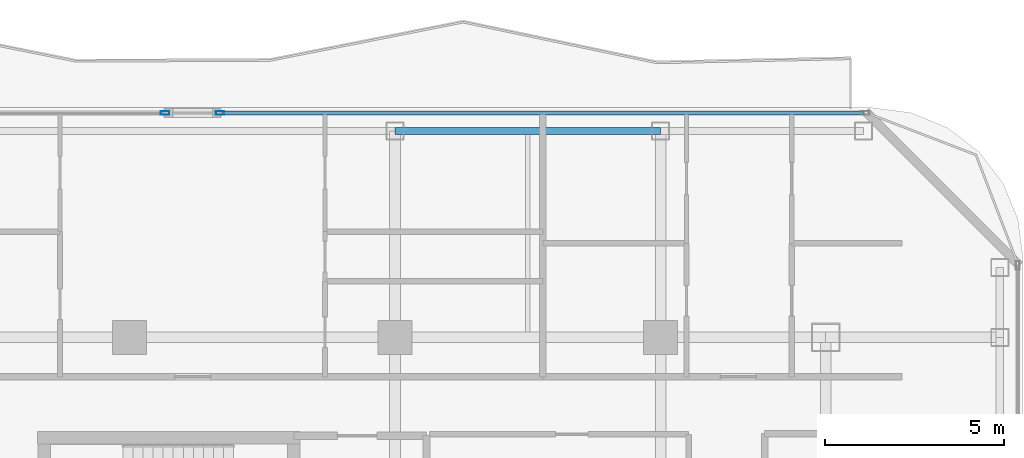
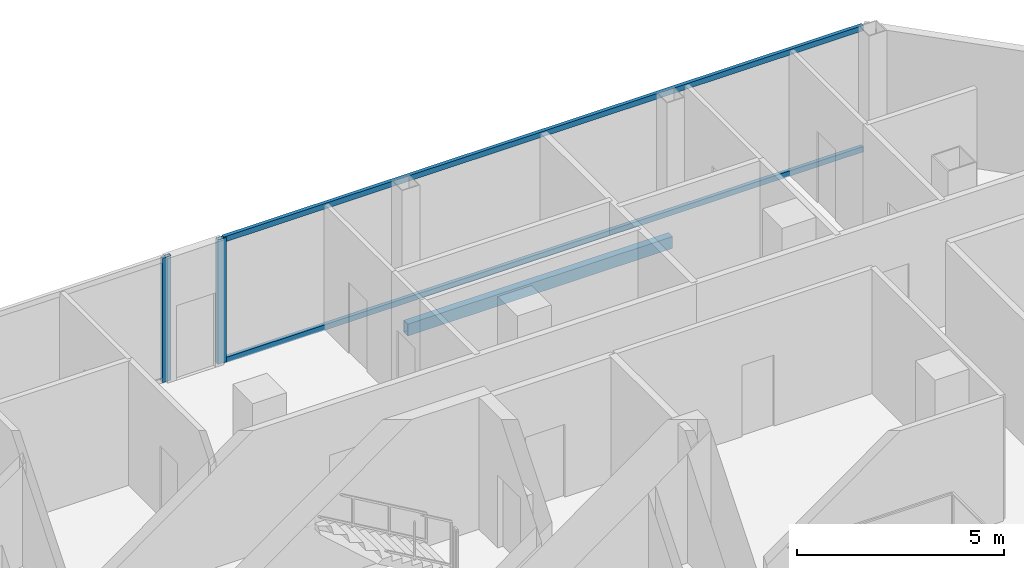
# One storey, part 13 of 23: 4 members, 1 beam, 2 elements without a shape of their own.
"""IFC4 building model written with IfcOpenShell, lengths in metres."""

from ifc_helpers import new_model, si_unit, direction, frame, origin, origin_2d, place, context, subcontext, project, spatial, hollow_rectangle, extrude, material, layer, layer_set, material_profile, profile_set, type_object, element, aggregate, save


model = new_model("IFC4")

# Units and contexts
model_context = context("Model", 3, precision=1e-05, world=origin(), true_north=direction((0.0, 1.0)))
body_context = subcontext(model_context, "Body", "Model", "MODEL_VIEW")
ifc_project = project(units=[si_unit("LENGTHUNIT", "METRE"), si_unit("AREAUNIT", "SQUARE_METRE"), si_unit("VOLUMEUNIT", "CUBIC_METRE"), si_unit("PLANEANGLEUNIT", "RADIAN"), si_unit("MASSUNIT", "GRAM", prefix="KILO")], contexts=[model_context])

# Site, building, storey
site_placement = place(None, origin())
site = spatial("IfcSite", under=ifc_project, at=site_placement, CompositionType="ELEMENT")
building_placement = place(site_placement, origin())
building = spatial("IfcBuilding", under=site, at=building_placement, Name="Khorvyn Point Tower", CompositionType="ELEMENT")
storey_placement = place(building_placement, frame((0.0, 0.0, 274.199951171875)))
storey = spatial("IfcBuildingStorey", under=building, at=storey_placement, Name="L67", CompositionType="ELEMENT", Elevation=274.199951171875)

# Curtain wall, member
ifc_material_1 = material(Name="Anodised aluminium 6063-T6 and laminated Low-E glass", Category="aluminium")
ifc_layer = layer(ifc_material_1, 0.18994140625)
ifc_layer_set = layer_set([ifc_layer], Name="Stick-Built High-Wind Curtain Wall CW-SYS-04")
curtain_wall_type = type_object("IfcCurtainWallType", Name="Stick-Built High-Wind Curtain Wall CW-SYS-04", PredefinedType="NOTDEFINED", material=ifc_layer_set)
curtain_wall_1_placement = place(storey_placement, origin())
curtain_wall_1 = element("IfcCurtainWall", 1, at=curtain_wall_1_placement, inside=storey, type_object=curtain_wall_type, Name="Curtain Wall", PredefinedType="NOTDEFINED")
ifc_material_2 = material(Name="Anodised aluminium 6063-T6", Category="aluminium")
ifc_material_profile_1 = material_profile(ifc_material_2, hollow_rectangle(XDim=0.10009765625, YDim=0.239990234375, WallThickness=0.0048828125, at=origin_2d()))
ifc_profile_set_1 = profile_set([ifc_material_profile_1], Name="Anodised aluminium 6063-T6 ALU-MUL-100x240")
member_type_1 = type_object("IfcMemberType", Name="Anodised Aluminium 6063-T6 Mullion ALU-MUL-100x240", PredefinedType="MULLION", material=ifc_profile_set_1)
member_1_placement = place(storey_placement, frame((0.987060546875, 21.050048828125, 0.0), z_axis=(0.0, 0.0, 1.0), x_axis=(0.0, 1.0, 0.0)))
member_1 = element("IfcMember", 2, at=member_1_placement, type_object=member_type_1, Name="Transom", PredefinedType="MULLION", context=body_context, shape_type="SweptSolid", body=[
    extrude(hollow_rectangle(XDim=0.10009765625, YDim=0.239990234375, WallThickness=0.0048828125, at=origin_2d()), origin(), (0.0, 0.0, 1.0), 3.679931640625),
])
aggregate(curtain_wall_1, [member_1])

# Curtain wall, members
curtain_wall_2_placement = place(storey_placement, origin())
curtain_wall_2 = element("IfcCurtainWall", 3, at=curtain_wall_2_placement, inside=storey, type_object=curtain_wall_type, Name="Curtain Wall", PredefinedType="NOTDEFINED")
member_2_placement = place(storey_placement, frame((2.527099609375, 21.050048828125, 0.0), z_axis=(0.0, 0.0, 1.0), x_axis=(0.0, 1.0, 0.0)))
member_2 = element("IfcMember", 4, at=member_2_placement, type_object=member_type_1, Name="Transom", PredefinedType="MULLION", context=body_context, shape_type="SweptSolid", body=[
    extrude(hollow_rectangle(XDim=0.10009765625, YDim=0.239990234375, WallThickness=0.0048828125, at=origin_2d()), origin(), (0.0, 0.0, 1.0), 3.679931640625),
])
ifc_material_profile_2 = material_profile(ifc_material_2, hollow_rectangle(XDim=0.10009765625, YDim=0.159912109375, WallThickness=0.00439453125, at=origin_2d()))
ifc_profile_set_2 = profile_set([ifc_material_profile_2], Name="Anodised aluminium 6063-T6 ALU-TRN-100x160")
member_type_2 = type_object("IfcMemberType", Name="Anodised Aluminium 6063-T6 Transom ALU-TRN-100x160", PredefinedType="USERDEFINED", material=ifc_profile_set_2)
member_3_placement = place(storey_placement, frame((2.576904296875, 21.050048828125, 0.050048828125), z_axis=(1.0, 0.0, 0.0), x_axis=(0.0, 1.0, 0.0)))
member_3 = element("IfcMember", 5, at=member_3_placement, type_object=member_type_2, Name="Transom", ObjectType="TRANSOM", PredefinedType="USERDEFINED", context=body_context, shape_type="SweptSolid", body=[
    extrude(hollow_rectangle(XDim=0.10009765625, YDim=0.159912109375, WallThickness=0.00439453125, at=origin_2d()), origin(), (0.0, 0.0, 1.0), 17.873046875),
])
member_4_placement = place(storey_placement, frame((2.576904296875, 21.050048828125, 3.630126953125), z_axis=(1.0, 0.0, 0.0), x_axis=(0.0, 1.0, 0.0)))
member_4 = element("IfcMember", 6, at=member_4_placement, type_object=member_type_2, Name="Transom", ObjectType="TRANSOM", PredefinedType="USERDEFINED", context=body_context, shape_type="SweptSolid", body=[
    extrude(hollow_rectangle(XDim=0.10009765625, YDim=0.159912109375, WallThickness=0.00439453125, at=origin_2d()), origin(), (0.0, 0.0, 1.0), 17.873046875),
])
aggregate(curtain_wall_2, [member_2, member_3, member_4])

# Beam
ifc_material_3 = material(Name="Steel S355", Category="steel")
ifc_material_profile_3 = material_profile(ifc_material_3, hollow_rectangle(XDim=0.199951171875, YDim=0.35009765625, WallThickness=0.013916015625, at=origin_2d()))
ifc_profile_set_3 = profile_set([ifc_material_profile_3], Name="Steel S355 RHS350x200x14")
beam_type = type_object("IfcBeamType", Name="Steel S355 Spandrel RHS350x200x14", PredefinedType="SPANDREL", material=ifc_profile_set_3)
beam_placement = place(storey_placement, frame((7.39990234375, 20.550048828125, -0.39501953125), z_axis=(1.0, 0.0, 0.0), x_axis=(0.0, 1.0, 0.0)))
element("IfcBeam", 7, at=beam_placement, inside=storey, type_object=beam_type, Name="Beam", PredefinedType="SPANDREL", context=body_context, shape_type="SweptSolid", body=[
    extrude(hollow_rectangle(XDim=0.199951171875, YDim=0.35009765625, WallThickness=0.013916015625, at=origin_2d()), origin(), (0.0, 0.0, 1.0), 7.400146484375),
])

save(model, "model.ifc")
